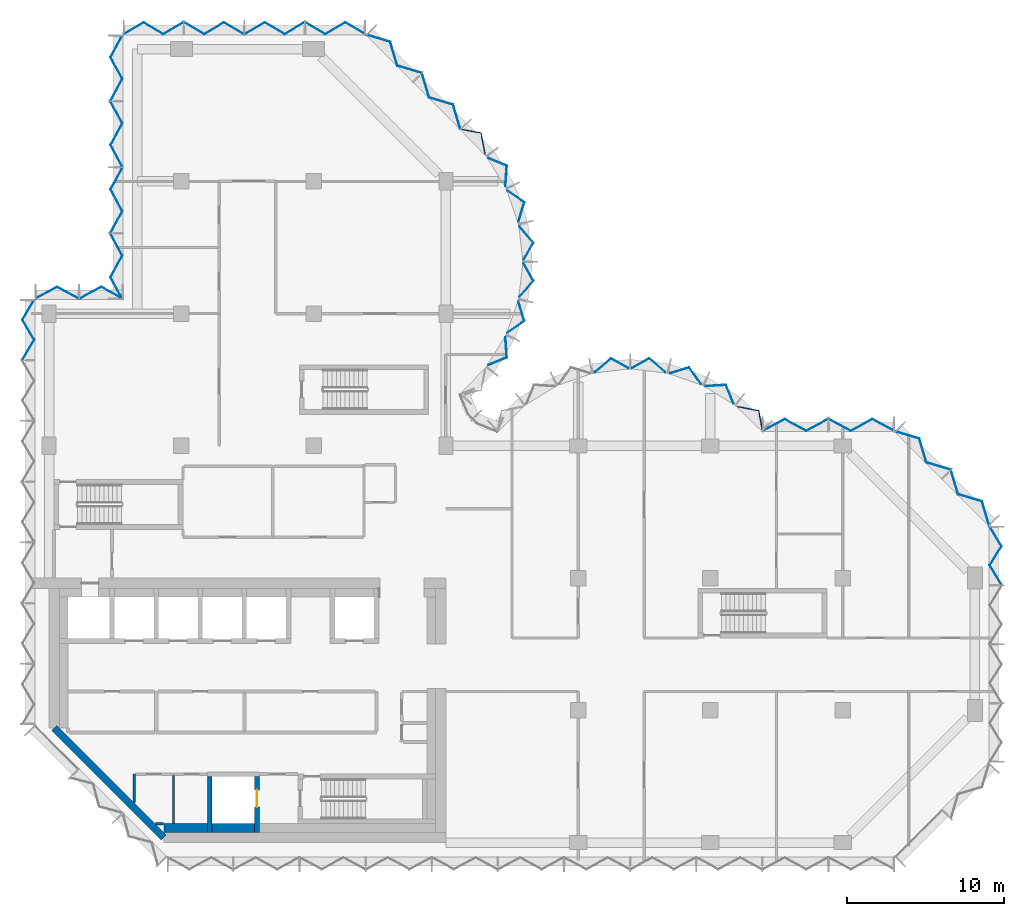
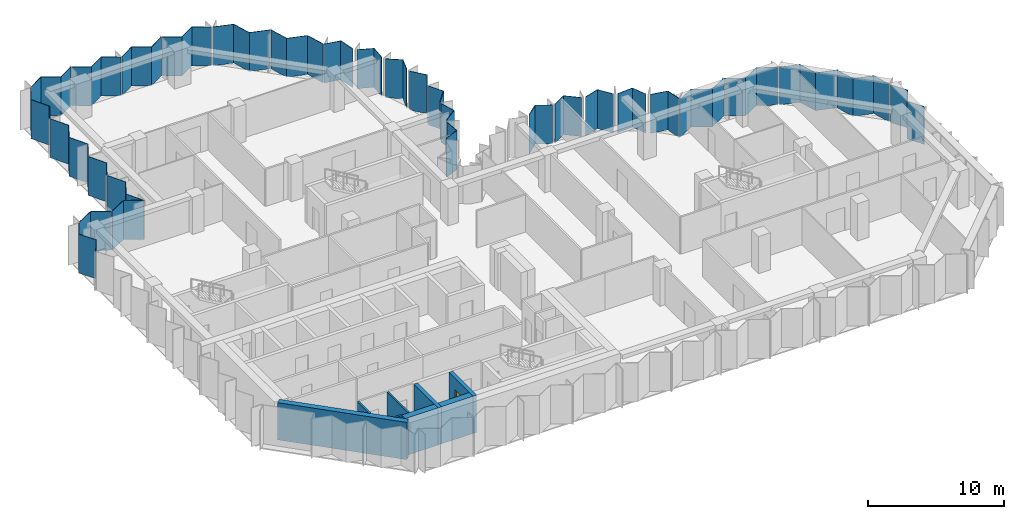
# One storey, part 4 of 10: 30 plates, 8 walls, 1 door, 1 opening, 10 elements without a shape of their own.
"""IFC4 building model written with IfcOpenShell, lengths in metres."""

from ifc_helpers import new_model, si_unit, direction, frame, frame_2d, origin, place, context, subcontext, project, spatial, polyline, rectangle, outline, extrude, material, layer, layer_set, type_object, element, fill, aggregate, save


model = new_model("IFC4")

# Units and contexts
model_context = context("Model", 3, precision=1e-05, world=origin(), true_north=direction((0.0, 1.0)))
body_context = subcontext(model_context, "Body", "Model", "MODEL_VIEW")
ifc_project = project(units=[si_unit("LENGTHUNIT", "METRE"), si_unit("AREAUNIT", "SQUARE_METRE"), si_unit("VOLUMEUNIT", "CUBIC_METRE"), si_unit("PLANEANGLEUNIT", "RADIAN"), si_unit("MASSUNIT", "GRAM", prefix="KILO")], contexts=[model_context])

# Site, building, storey
site_placement = place(None, origin())
site = spatial("IfcSite", under=ifc_project, at=site_placement, CompositionType="ELEMENT")
building_placement = place(site_placement, origin())
building = spatial("IfcBuilding", under=site, at=building_placement, Name="Brevane Broadcast Tower", CompositionType="ELEMENT")
storey_placement = place(building_placement, frame((0.0, 0.0, 181.199951171875)))
storey = spatial("IfcBuildingStorey", under=building, at=storey_placement, Name="L45", CompositionType="ELEMENT", Elevation=181.199951171875)

# Curtain wall, plate
ifc_material_1 = material(Name="Aluminium 6063-T6 bronze anodised", Category="aluminium")
curtain_wall_type = type_object("IfcCurtainWallType", Name="CW-1 curtain wall", PredefinedType="NOTDEFINED", material=ifc_material_1)
curtain_wall_1_placement = place(storey_placement, origin())
curtain_wall_1 = element("IfcCurtainWall", 1, at=curtain_wall_1_placement, inside=storey, type_object=curtain_wall_type, Name="CW-1 typical tilted unit L45 east end", PredefinedType="NOTDEFINED")
ifc_material_2 = material(Name="Laminated glass bronze-tinted", Category="glass")
ifc_layer_1 = layer(ifc_material_2, 0.0400390625)
ifc_layer_set_1 = layer_set([ifc_layer_1], Name="CW tall glass panel 40")
plate_type = type_object("IfcPlateType", Name="CW tall glass panel 40", PredefinedType="CURTAIN_PANEL", material=ifc_layer_set_1)
plate_1_placement = place(storey_placement, frame((0.0, 0.0, -0.14990234375)))
plate_1 = element("IfcPlate", 2, at=plate_1_placement, type_object=plate_type, Name="CW-1 glass panel", PredefinedType="CURTAIN_PANEL", context=body_context, shape_type="SweptSolid", body=[
    extrude(outline(polyline([(60.470947265625, 16.385009765625), (60.517822265625, 16.385009765625), (59.7734375, 17.61181640625), (60.517822265625, 18.83837890625), (59.7734375, 20.06494140625), (59.7265625, 20.06494140625), (60.470947265625, 18.83837890625), (59.7265625, 17.61181640625), (60.470947265625, 16.385009765625)])), origin(), (0.0, 0.0, 1.0), 3.39990234375),
])
aggregate(curtain_wall_1, [plate_1])

# Curtain wall, plates
curtain_wall_2_placement = place(storey_placement, origin())
curtain_wall_2 = element("IfcCurtainWall", 3, at=curtain_wall_2_placement, inside=storey, type_object=curtain_wall_type, Name="CW-1 typical tilted unit L45 north-east chamfer", PredefinedType="NOTDEFINED")
plate_2_placement = place(storey_placement, frame((0.0, 0.0, -0.14990234375)))
plate_2 = element("IfcPlate", 4, at=plate_2_placement, type_object=plate_type, Name="CW-1 glass panel", PredefinedType="CURTAIN_PANEL", context=body_context, shape_type="SweptSolid", body=[
    extrude(outline(polyline([(59.694580078125, 20.14404296875), (59.7265625, 20.176025390625), (59.26953125, 21.68603515625), (57.759521484375, 22.14306640625), (57.302490234375, 23.653076171875), (57.2705078125, 23.620849609375), (57.7275390625, 22.111083984375), (59.2373046875, 21.65380859375), (59.694580078125, 20.14404296875)])), origin(), (0.0, 0.0, 1.0), 3.39990234375),
])
plate_3_placement = place(storey_placement, frame((0.0, 0.0, -0.14990234375)))
plate_3 = element("IfcPlate", 5, at=plate_3_placement, type_object=plate_type, Name="CW-1 glass panel", PredefinedType="CURTAIN_PANEL", context=body_context, shape_type="SweptSolid", body=[
    extrude(outline(polyline([(57.220947265625, 23.67041015625), (57.2529296875, 23.702392578125), (55.7431640625, 24.15966796875), (55.285888671875, 25.66943359375), (53.776123046875, 26.126708984375), (53.744140625, 26.094482421875), (55.25390625, 25.637451171875), (55.711181640625, 24.127685546875), (57.220947265625, 23.67041015625)])), origin(), (0.0, 0.0, 1.0), 3.39990234375),
])
aggregate(curtain_wall_2, [plate_2, plate_3])

curtain_wall_3_placement = place(storey_placement, origin())
curtain_wall_3 = element("IfcCurtainWall", 6, at=curtain_wall_3_placement, inside=storey, type_object=curtain_wall_type, Name="CW-1 typical tilted unit L45 east arm north face", PredefinedType="NOTDEFINED")
plate_4_placement = place(storey_placement, frame((0.0, 0.0, -0.14990234375)))
plate_4 = element("IfcPlate", 7, at=plate_4_placement, type_object=plate_type, Name="CW-1 glass panel", PredefinedType="CURTAIN_PANEL", context=body_context, shape_type="SweptSolid", body=[
    extrude(outline(polyline([(53.6650390625, 26.127197265625), (53.6650390625, 26.172607421875), (52.288330078125, 26.9169921875), (50.91162109375, 26.172607421875), (49.534912109375, 26.9169921875), (49.534912109375, 26.87158203125), (50.91162109375, 26.127197265625), (52.288330078125, 26.87158203125), (53.6650390625, 26.127197265625)])), origin(), (0.0, 0.0, 1.0), 3.39990234375),
])
plate_5_placement = place(storey_placement, frame((0.0, 0.0, -0.14990234375)))
plate_5 = element("IfcPlate", 8, at=plate_5_placement, type_object=plate_type, Name="CW-1 glass panel", PredefinedType="CURTAIN_PANEL", context=body_context, shape_type="SweptSolid", body=[
    extrude(outline(polyline([(49.465087890625, 26.87158203125), (49.465087890625, 26.9169921875), (48.08837890625, 26.172607421875), (46.711669921875, 26.9169921875), (45.3349609375, 26.172607421875), (45.3349609375, 26.127197265625), (46.711669921875, 26.87158203125), (48.08837890625, 26.127197265625), (49.465087890625, 26.87158203125)])), origin(), (0.0, 0.0, 1.0), 3.39990234375),
])
aggregate(curtain_wall_3, [plate_4, plate_5])

curtain_wall_4_placement = place(storey_placement, origin())
curtain_wall_4 = element("IfcCurtainWall", 9, at=curtain_wall_4_placement, inside=storey, type_object=curtain_wall_type, Name="CW-1 typical tilted unit L45 east bow", PredefinedType="NOTDEFINED")
plate_6_placement = place(storey_placement, frame((0.0, 0.0, -0.14990234375)))
plate_6 = element("IfcPlate", 10, at=plate_6_placement, type_object=plate_type, Name="CW-1 glass panel", PredefinedType="CURTAIN_PANEL", context=body_context, shape_type="SweptSolid", body=[
    extrude(outline(polyline([(45.2939453125, 26.14404296875), (45.327880859375, 26.17919921875), (45.086181640625, 27.447265625), (43.738525390625, 27.71142578125), (43.7109375, 27.67626953125), (45.052001953125, 27.4130859375), (45.2939453125, 26.14404296875)])), origin(), (0.0, 0.0, 1.0), 3.5),
])
plate_7_placement = place(storey_placement, frame((0.0, 0.0, -0.14990234375)))
plate_7 = element("IfcPlate", 11, at=plate_7_placement, type_object=plate_type, Name="CW-1 glass panel", PredefinedType="CURTAIN_PANEL", context=body_context, shape_type="SweptSolid", body=[
    extrude(outline(polyline([(43.45703125, 27.8759765625), (43.4853515625, 27.912109375), (43.00390625, 29.089111328125), (41.710693359375, 29.006591796875), (41.69091796875, 28.96533203125), (42.977783203125, 29.04736328125), (43.45703125, 27.8759765625)])), origin(), (0.0, 0.0, 1.0), 3.5),
])
plate_8_placement = place(storey_placement, frame((0.0, 0.0, -0.14990234375)))
plate_8 = element("IfcPlate", 12, at=plate_8_placement, type_object=plate_type, Name="CW-1 glass panel", PredefinedType="CURTAIN_PANEL", context=body_context, shape_type="SweptSolid", body=[
    extrude(outline(polyline([(41.3994140625, 29.104248046875), (41.4189453125, 29.1455078125), (40.667724609375, 30.20166015625), (39.45068359375, 29.83349609375), (39.440185546875, 29.78857421875), (40.65185546875, 30.155029296875), (41.3994140625, 29.104248046875)])), origin(), (0.0, 0.0, 1.0), 3.5),
])
plate_9_placement = place(storey_placement, frame((0.0, 0.0, -0.14990234375)))
plate_9 = element("IfcPlate", 13, at=plate_9_placement, type_object=plate_type, Name="CW-1 glass panel", PredefinedType="CURTAIN_PANEL", context=body_context, shape_type="SweptSolid", body=[
    extrude(outline(polyline([(39.125, 29.859619140625), (39.13525390625, 29.903564453125), (38.116943359375, 30.779296875), (37.008056640625, 30.15869140625), (37.008056640625, 30.11279296875), (38.112060546875, 30.730712890625), (39.125, 29.859619140625)])), origin(), (0.0, 0.0, 1.0), 3.5),
])
plate_10_placement = place(storey_placement, frame((0.0, 0.0, -0.14990234375)))
plate_10 = element("IfcPlate", 14, at=plate_10_placement, type_object=plate_type, Name="CW-1 glass panel", PredefinedType="CURTAIN_PANEL", context=body_context, shape_type="SweptSolid", body=[
    extrude(outline(polyline([(36.7919921875, 30.11279296875), (36.7919921875, 30.15869140625), (35.68310546875, 30.779296875), (34.664794921875, 29.903564453125), (34.6748046875, 29.859619140625), (35.68798828125, 30.730712890625), (36.7919921875, 30.11279296875)])), origin(), (0.0, 0.0, 1.0), 3.5),
])
aggregate(curtain_wall_4, [plate_6, plate_7, plate_8, plate_9, plate_10])

curtain_wall_5_placement = place(storey_placement, origin())
curtain_wall_5 = element("IfcCurtainWall", 15, at=curtain_wall_5_placement, inside=storey, type_object=curtain_wall_type, Name="CW-1 typical tilted unit L45 north bow", PredefinedType="NOTDEFINED")
plate_11_placement = place(storey_placement, frame((0.0, 0.0, -0.14990234375)))
plate_11 = element("IfcPlate", 16, at=plate_11_placement, type_object=plate_type, Name="CW-1 glass panel", PredefinedType="CURTAIN_PANEL", context=body_context, shape_type="SweptSolid", body=[
    extrude(outline(polyline([(27.8759765625, 30.343017578125), (27.912109375, 30.314697265625), (29.089111328125, 30.7958984375), (29.006591796875, 32.08935546875), (28.96533203125, 32.10888671875), (29.04736328125, 30.822265625), (27.8759765625, 30.343017578125)])), origin(), (0.0, 0.0, 1.0), 3.5),
])
plate_12_placement = place(storey_placement, frame((0.0, 0.0, -0.14990234375)))
plate_12 = element("IfcPlate", 17, at=plate_12_placement, type_object=plate_type, Name="CW-1 glass panel", PredefinedType="CURTAIN_PANEL", context=body_context, shape_type="SweptSolid", body=[
    extrude(outline(polyline([(29.104248046875, 32.400634765625), (29.1455078125, 32.381103515625), (30.20166015625, 33.132080078125), (29.83349609375, 34.349365234375), (29.78857421875, 34.359619140625), (30.155029296875, 33.148193359375), (29.104248046875, 32.400634765625)])), origin(), (0.0, 0.0, 1.0), 3.5),
])
plate_13_placement = place(storey_placement, frame((0.0, 0.0, -0.14990234375)))
plate_13 = element("IfcPlate", 18, at=plate_13_placement, type_object=plate_type, Name="CW-1 glass panel", PredefinedType="CURTAIN_PANEL", context=body_context, shape_type="SweptSolid", body=[
    extrude(outline(polyline([(29.859619140625, 34.6748046875), (29.903564453125, 34.664794921875), (30.779296875, 35.68310546875), (30.15869140625, 36.7919921875), (30.11279296875, 36.7919921875), (30.730712890625, 35.68798828125), (29.859619140625, 34.6748046875)])), origin(), (0.0, 0.0, 1.0), 3.5),
])
plate_14_placement = place(storey_placement, frame((0.0, 0.0, -0.14990234375)))
plate_14 = element("IfcPlate", 19, at=plate_14_placement, type_object=plate_type, Name="CW-1 glass panel", PredefinedType="CURTAIN_PANEL", context=body_context, shape_type="SweptSolid", body=[
    extrude(outline(polyline([(30.11279296875, 37.008056640625), (30.15869140625, 37.008056640625), (30.779296875, 38.116943359375), (29.903564453125, 39.13525390625), (29.859619140625, 39.125), (30.730712890625, 38.112060546875), (30.11279296875, 37.008056640625)])), origin(), (0.0, 0.0, 1.0), 3.5),
])
plate_15_placement = place(storey_placement, frame((0.0, 0.0, -0.14990234375)))
plate_15 = element("IfcPlate", 20, at=plate_15_placement, type_object=plate_type, Name="CW-1 glass panel", PredefinedType="CURTAIN_PANEL", context=body_context, shape_type="SweptSolid", body=[
    extrude(outline(polyline([(29.78857421875, 39.440185546875), (29.83349609375, 39.45068359375), (30.20166015625, 40.667724609375), (29.1455078125, 41.4189453125), (29.104248046875, 41.3994140625), (30.155029296875, 40.65185546875), (29.78857421875, 39.440185546875)])), origin(), (0.0, 0.0, 1.0), 3.5),
])
plate_16_placement = place(storey_placement, frame((0.0, 0.0, -0.14990234375)))
plate_16 = element("IfcPlate", 21, at=plate_16_placement, type_object=plate_type, Name="CW-1 glass panel", PredefinedType="CURTAIN_PANEL", context=body_context, shape_type="SweptSolid", body=[
    extrude(outline(polyline([(28.96533203125, 41.69091796875), (29.006591796875, 41.710693359375), (29.089111328125, 43.00390625), (27.912109375, 43.4853515625), (27.8759765625, 43.45703125), (29.04736328125, 42.977783203125), (28.96533203125, 41.69091796875)])), origin(), (0.0, 0.0, 1.0), 3.5),
])
plate_17_placement = place(storey_placement, frame((0.0, 0.0, -0.14990234375)))
plate_17 = element("IfcPlate", 22, at=plate_17_placement, type_object=plate_type, Name="CW-1 glass panel", PredefinedType="CURTAIN_PANEL", context=body_context, shape_type="SweptSolid", body=[
    extrude(outline(polyline([(27.67626953125, 43.7109375), (27.71142578125, 43.738525390625), (27.447265625, 45.086181640625), (26.17919921875, 45.327880859375), (26.14404296875, 45.2939453125), (27.4130859375, 45.052001953125), (27.67626953125, 43.7109375)])), origin(), (0.0, 0.0, 1.0), 3.5),
])
aggregate(curtain_wall_5, [plate_11, plate_12, plate_13, plate_14, plate_15, plate_16, plate_17])

curtain_wall_6_placement = place(storey_placement, origin())
curtain_wall_6 = element("IfcCurtainWall", 23, at=curtain_wall_6_placement, inside=storey, type_object=curtain_wall_type, Name="CW-1 typical tilted unit L45 north arm north-east chamfer", PredefinedType="NOTDEFINED")
plate_18_placement = place(storey_placement, frame((0.0, 0.0, -0.14990234375)))
plate_18 = element("IfcPlate", 24, at=plate_18_placement, type_object=plate_type, Name="CW-1 glass panel", PredefinedType="CURTAIN_PANEL", context=body_context, shape_type="SweptSolid", body=[
    extrude(outline(polyline([(26.094482421875, 45.343994140625), (26.126708984375, 45.376220703125), (25.66943359375, 46.885986328125), (24.15966796875, 47.343017578125), (23.702392578125, 48.85302734375), (23.67041015625, 48.82080078125), (24.127685546875, 47.31103515625), (25.637451171875, 46.85400390625), (26.094482421875, 45.343994140625)])), origin(), (0.0, 0.0, 1.0), 3.5),
])
plate_19_placement = place(storey_placement, frame((0.0, 0.0, -0.14990234375)))
plate_19 = element("IfcPlate", 25, at=plate_19_placement, type_object=plate_type, Name="CW-1 glass panel", PredefinedType="CURTAIN_PANEL", context=body_context, shape_type="SweptSolid", body=[
    extrude(outline(polyline([(23.620849609375, 48.870361328125), (23.653076171875, 48.902587890625), (22.14306640625, 49.359619140625), (21.68603515625, 50.869384765625), (20.176025390625, 51.32666015625), (20.14404296875, 51.294677734375), (21.65380859375, 50.83740234375), (22.111083984375, 49.32763671875), (23.620849609375, 48.870361328125)])), origin(), (0.0, 0.0, 1.0), 3.5),
])
aggregate(curtain_wall_6, [plate_18, plate_19])

curtain_wall_7_placement = place(storey_placement, origin())
curtain_wall_7 = element("IfcCurtainWall", 26, at=curtain_wall_7_placement, inside=storey, type_object=curtain_wall_type, Name="CW-1 typical tilted unit L45 north end", PredefinedType="NOTDEFINED")
plate_20_placement = place(storey_placement, frame((0.0, 0.0, -0.14990234375)))
plate_20 = element("IfcPlate", 27, at=plate_20_placement, type_object=plate_type, Name="CW-1 glass panel", PredefinedType="CURTAIN_PANEL", context=body_context, shape_type="SweptSolid", body=[
    extrude(outline(polyline([(20.06494140625, 51.326904296875), (20.06494140625, 51.373291015625), (18.804931640625, 52.11767578125), (17.544921875, 51.373291015625), (16.284912109375, 52.11767578125), (16.284912109375, 52.0712890625), (17.544921875, 51.326904296875), (18.804931640625, 52.0712890625), (20.06494140625, 51.326904296875)])), origin(), (0.0, 0.0, 1.0), 3.5),
])
plate_21_placement = place(storey_placement, frame((0.0, 0.0, -0.14990234375)))
plate_21 = element("IfcPlate", 28, at=plate_21_placement, type_object=plate_type, Name="CW-1 glass panel", PredefinedType="CURTAIN_PANEL", context=body_context, shape_type="SweptSolid", body=[
    extrude(outline(polyline([(16.215087890625, 52.0712890625), (16.215087890625, 52.11767578125), (14.955078125, 51.373291015625), (13.695068359375, 52.11767578125), (12.43505859375, 51.373291015625), (12.43505859375, 51.326904296875), (13.695068359375, 52.0712890625), (14.955078125, 51.326904296875), (16.215087890625, 52.0712890625)])), origin(), (0.0, 0.0, 1.0), 3.5),
])
plate_22_placement = place(storey_placement, frame((0.0, 0.0, -0.14990234375)))
plate_22 = element("IfcPlate", 29, at=plate_22_placement, type_object=plate_type, Name="CW-1 glass panel", PredefinedType="CURTAIN_PANEL", context=body_context, shape_type="SweptSolid", body=[
    extrude(outline(polyline([(12.364990234375, 51.326904296875), (12.364990234375, 51.373291015625), (11.10498046875, 52.11767578125), (9.844970703125, 51.373291015625), (8.5849609375, 52.11767578125), (8.5849609375, 52.0712890625), (9.844970703125, 51.326904296875), (11.10498046875, 52.0712890625), (12.364990234375, 51.326904296875)])), origin(), (0.0, 0.0, 1.0), 3.5),
])
plate_23_placement = place(storey_placement, frame((0.0, 0.0, -0.14990234375)))
plate_23 = element("IfcPlate", 30, at=plate_23_placement, type_object=plate_type, Name="CW-1 glass panel", PredefinedType="CURTAIN_PANEL", context=body_context, shape_type="SweptSolid", body=[
    extrude(outline(polyline([(8.514892578125, 52.0712890625), (8.514892578125, 52.11767578125), (7.2548828125, 51.373291015625), (5.9951171875, 52.11767578125), (4.735107421875, 51.373291015625), (4.735107421875, 51.326904296875), (5.9951171875, 52.0712890625), (7.2548828125, 51.326904296875), (8.514892578125, 52.0712890625)])), origin(), (0.0, 0.0, 1.0), 3.5),
])
aggregate(curtain_wall_7, [plate_20, plate_21, plate_22, plate_23])

curtain_wall_8_placement = place(storey_placement, origin())
curtain_wall_8 = element("IfcCurtainWall", 31, at=curtain_wall_8_placement, inside=storey, type_object=curtain_wall_type, Name="CW-1 typical tilted unit L45 north wing west face, lower block", PredefinedType="NOTDEFINED")
plate_24_placement = place(storey_placement, frame((0.0, 0.0, -0.14990234375)))
plate_24 = element("IfcPlate", 32, at=plate_24_placement, type_object=plate_type, Name="CW-1 glass panel", PredefinedType="CURTAIN_PANEL", context=body_context, shape_type="SweptSolid", body=[
    extrude(outline(polyline([(4.672607421875, 51.264892578125), (4.627197265625, 51.264892578125), (3.8828125, 49.88818359375), (4.627197265625, 48.51171875), (3.8828125, 47.135009765625), (3.92822265625, 47.135009765625), (4.672607421875, 48.51171875), (3.92822265625, 49.88818359375), (4.672607421875, 51.264892578125)])), origin(), (0.0, 0.0, 1.0), 3.5),
])
plate_25_placement = place(storey_placement, frame((0.0, 0.0, -0.14990234375)))
plate_25 = element("IfcPlate", 33, at=plate_25_placement, type_object=plate_type, Name="CW-1 glass panel", PredefinedType="CURTAIN_PANEL", context=body_context, shape_type="SweptSolid", body=[
    extrude(outline(polyline([(3.92822265625, 47.06494140625), (3.8828125, 47.06494140625), (4.627197265625, 45.688232421875), (3.8828125, 44.311767578125), (4.627197265625, 42.93505859375), (4.672607421875, 42.93505859375), (3.92822265625, 44.311767578125), (4.672607421875, 45.688232421875), (3.92822265625, 47.06494140625)])), origin(), (0.0, 0.0, 1.0), 3.5),
])
plate_26_placement = place(storey_placement, frame((0.0, 0.0, -0.14990234375)))
plate_26 = element("IfcPlate", 34, at=plate_26_placement, type_object=plate_type, Name="CW-1 glass panel", PredefinedType="CURTAIN_PANEL", context=body_context, shape_type="SweptSolid", body=[
    extrude(outline(polyline([(4.672607421875, 42.864990234375), (4.627197265625, 42.864990234375), (3.8828125, 41.48828125), (4.627197265625, 40.11181640625), (3.8828125, 38.735107421875), (3.92822265625, 38.735107421875), (4.672607421875, 40.11181640625), (3.92822265625, 41.48828125), (4.672607421875, 42.864990234375)])), origin(), (0.0, 0.0, 1.0), 3.5),
])
plate_27_placement = place(storey_placement, frame((0.0, 0.0, -0.14990234375)))
plate_27 = element("IfcPlate", 35, at=plate_27_placement, type_object=plate_type, Name="CW-1 glass panel", PredefinedType="CURTAIN_PANEL", context=body_context, shape_type="SweptSolid", body=[
    extrude(outline(polyline([(3.92822265625, 38.6650390625), (3.8828125, 38.6650390625), (4.627197265625, 37.288330078125), (3.8828125, 35.91162109375), (4.627197265625, 34.534912109375), (4.672607421875, 34.534912109375), (3.92822265625, 35.91162109375), (4.672607421875, 37.288330078125), (3.92822265625, 38.6650390625)])), origin(), (0.0, 0.0, 1.0), 3.5),
])
aggregate(curtain_wall_8, [plate_24, plate_25, plate_26, plate_27])

curtain_wall_9_placement = place(storey_placement, origin())
curtain_wall_9 = element("IfcCurtainWall", 36, at=curtain_wall_9_placement, inside=storey, type_object=curtain_wall_type, Name="CW-1 typical tilted unit L45 north wing west return, lower block", PredefinedType="NOTDEFINED")
plate_28_placement = place(storey_placement, frame((0.0, 0.0, -0.14990234375)))
plate_28 = element("IfcPlate", 37, at=plate_28_placement, type_object=plate_type, Name="CW-1 glass panel", PredefinedType="CURTAIN_PANEL", context=body_context, shape_type="SweptSolid", body=[
    extrude(outline(polyline([(4.6650390625, 34.527099609375), (4.6650390625, 34.57275390625), (3.300048828125, 35.317138671875), (1.93505859375, 34.57275390625), (1.93505859375, 34.527099609375), (3.300048828125, 35.271484375), (4.6650390625, 34.527099609375)])), origin(), (0.0, 0.0, 1.0), 3.5),
])
plate_29_placement = place(storey_placement, frame((0.0, 0.0, -0.14990234375)))
plate_29 = element("IfcPlate", 38, at=plate_29_placement, type_object=plate_type, Name="CW-1 glass panel", PredefinedType="CURTAIN_PANEL", context=body_context, shape_type="SweptSolid", body=[
    extrude(outline(polyline([(1.864990234375, 34.527099609375), (1.864990234375, 34.57275390625), (0.5, 35.317138671875), (-0.864990234375, 34.57275390625), (-0.864990234375, 34.527099609375), (0.5, 35.271484375), (1.864990234375, 34.527099609375)])), origin(), (0.0, 0.0, 1.0), 3.5),
])
aggregate(curtain_wall_9, [plate_28, plate_29])

# Curtain wall, plate
curtain_wall_10_placement = place(storey_placement, origin())
curtain_wall_10 = element("IfcCurtainWall", 39, at=curtain_wall_10_placement, inside=storey, type_object=curtain_wall_type, Name="CW-1 typical tilted unit L45 west face", PredefinedType="NOTDEFINED")
plate_30_placement = place(storey_placement, frame((0.0, 0.0, -0.14990234375)))
plate_30 = element("IfcPlate", 40, at=plate_30_placement, type_object=plate_type, Name="CW-1 glass panel", PredefinedType="CURTAIN_PANEL", context=body_context, shape_type="SweptSolid", body=[
    extrude(outline(polyline([(-0.9267578125, 34.465087890625), (-0.97314453125, 34.465087890625), (-1.717529296875, 33.20263671875), (-0.97314453125, 31.940185546875), (-1.717529296875, 30.677978515625), (-1.671142578125, 30.677978515625), (-0.9267578125, 31.940185546875), (-1.671142578125, 33.20263671875), (-0.9267578125, 34.465087890625)])), origin(), (0.0, 0.0, 1.0), 3.5),
])
aggregate(curtain_wall_10, [plate_30])

# Walls
ifc_material_3 = material(Name="Concrete C32/40", Category="concrete")
ifc_layer_2 = layer(ifc_material_3, 0.550048828125)
ifc_layer_set_2 = layer_set([ifc_layer_2], Name="Core chase wall 550 mm")
wall_type_1 = type_object("IfcWallType", Name="Core chase wall 550 mm", PredefinedType="PARTITIONING", material=ifc_layer_set_2)
wall_1_placement = place(storey_placement, frame((7.286376953125, 0.925048828125, 0.0), z_axis=(0.0, 0.0, 1.0), x_axis=(1.0, 0.0, 0.0)))
element("IfcWall", 41, at=wall_1_placement, inside=storey, type_object=wall_type_1, Name="L45 chase wall LS-1", PredefinedType="PARTITIONING", context=body_context, shape_type="SweptSolid", body=[
    extrude(rectangle(XDim=2.763671875, YDim=0.550048828125, at=frame_2d((1.3818359375, 0.0))), origin(), (0.0, 0.0, 1.0), 3.35009765625),
])
wall_2_placement = place(storey_placement, frame((10.35009765625, 0.925048828125, 0.0), z_axis=(0.0, 0.0, 1.0), x_axis=(1.0, 0.0, 0.0)))
element("IfcWall", 42, at=wall_2_placement, inside=storey, type_object=wall_type_1, Name="L45 chase wall LS-2-1", PredefinedType="PARTITIONING", context=body_context, shape_type="SweptSolid", body=[
    extrude(rectangle(XDim=2.699951171875, YDim=0.550048828125, at=frame_2d((1.35009765625, 0.0))), origin(), (0.0, 0.0, 1.0), 3.35009765625),
])
ifc_material_4 = material(Name="Gypsum board on steel studs", Category="steel")
ifc_layer_3 = layer(ifc_material_4, 0.14990234375)
ifc_layer_set_3 = layer_set([ifc_layer_3], Name="Core fire partition 150 mm")
wall_type_2 = type_object("IfcWallType", Name="Core fire partition 150 mm", PredefinedType="PARTITIONING", material=ifc_layer_set_3)
wall_3_placement = place(storey_placement, frame((5.39990234375, 2.553466796875, 0.0), z_axis=(0.0, 0.0, 1.0), x_axis=(0.0, 1.0, 0.0)))
element("IfcWall", 43, at=wall_3_placement, inside=storey, type_object=wall_type_2, Name="L45 partition wall P17", PredefinedType="PARTITIONING", context=body_context, shape_type="SweptSolid", body=[
    extrude(rectangle(XDim=1.796630859375, YDim=0.14990234375, at=frame_2d((0.8984375, 0.0))), origin(), (0.0, 0.0, 1.0), 3.35009765625),
])
wall_4_placement = place(storey_placement, frame((7.89990234375, 4.27490234375, 0.0), z_axis=(0.0, 0.0, 1.0), x_axis=(0.0, -1.0, 0.0)))
element("IfcWall", 44, at=wall_4_placement, inside=storey, type_object=wall_type_2, Name="L45 partition wall P19", PredefinedType="PARTITIONING", context=body_context, shape_type="SweptSolid", body=[
    extrude(rectangle(XDim=3.06298828125, YDim=0.14990234375, at=frame_2d((1.531494140625, 0.0))), origin(), (0.0, 0.0, 1.0), 3.35009765625),
])
wall_5_placement = place(storey_placement, frame((7.2744140625, 1.199951171875, 0.0), z_axis=(0.0, 0.0, 1.0), x_axis=(-1.0, 0.0, 0.0)))
element("IfcWall", 45, at=wall_5_placement, inside=storey, type_object=wall_type_2, Name="L45 partition wall P20", PredefinedType="PARTITIONING", context=body_context, shape_type="SweptSolid", body=[
    extrude(rectangle(XDim=0.52099609375, YDim=0.14990234375, at=frame_2d((0.260498046875, 0.0))), origin(), (0.0, 0.0, 1.0), 3.35009765625),
])
ifc_material_5 = material(Name="Concrete C60/75", Category="concrete")
ifc_layer_4 = layer(ifc_material_5, 0.300048828125)
ifc_layer_set_4 = layer_set([ifc_layer_4], Name="Core wall 300 mm C60/75")
wall_type_3 = type_object("IfcWallType", Name="Core wall 300 mm C60/75", PredefinedType="SHEAR", material=ifc_layer_set_4)
wall_6_placement = place(storey_placement, frame((10.199951171875, 0.64990234375, 0.0), z_axis=(0.0, 0.0, 1.0), x_axis=(0.0, 1.0, 0.0)))
element("IfcWall", 46, at=wall_6_placement, inside=storey, type_object=wall_type_3, Name="L45 shaft wall FF2-W", PredefinedType="SHEAR", context=body_context, shape_type="SweptSolid", body=[
    extrude(rectangle(XDim=3.550048828125, YDim=0.300048828125, at=frame_2d((1.77490234375, 0.0))), origin(), (0.0, 0.0, 1.0), 3.35009765625),
])

# Wall, opening, door
wall_7_placement = place(storey_placement, frame((13.199951171875, 0.64990234375, 0.0), z_axis=(0.0, 0.0, 1.0), x_axis=(0.0, 1.0, 0.0)))
wall_7 = element("IfcWall", 47, at=wall_7_placement, inside=storey, type_object=wall_type_3, Name="L45 shaft wall FF2-E", PredefinedType="SHEAR", context=body_context, shape_type="SweptSolid", body=[
    extrude(rectangle(XDim=3.550048828125, YDim=0.300048828125, at=frame_2d((1.77490234375, 0.0))), origin(), (0.0, 0.0, 1.0), 3.35009765625),
])
opening_placement = place(wall_7_placement, frame((1.60009765625, 0.0, 0.0)))
opening = element("IfcOpeningElement", 48, at=opening_placement, cuts=wall_7, Name="Opening LD", PredefinedType="OPENING", context=body_context, shape_type="SweptSolid", body=[
    extrude(rectangle(XDim=1.10009765625, YDim=2.300048828125, at=frame_2d((0.550048828125, 1.14990234375))), frame((0.0, 0.159912109375, 0.0), z_axis=(0.0, -1.0, 0.0), x_axis=(1.0, 0.0, 0.0)), (0.0, 0.0, 1.0), 0.320068359375),
])
ifc_material_6 = material(Name="Stainless steel", Category="steel")
door_type = type_object("IfcDoorType", Name="Lift landing door", OperationType="SLIDING_TO_LEFT", PredefinedType="DOOR", material=ifc_material_6)
door_placement = place(opening_placement, origin())
door = element("IfcDoor", 49, at=door_placement, inside=storey, type_object=door_type, Name="Landing door FF2 L45", OperationType="SLIDING_TO_LEFT", OverallHeight=2.300048828125, OverallWidth=1.10009765625, PredefinedType="DOOR", context=body_context, shape_type="SweptSolid", body=[
    extrude(rectangle(XDim=1.10009765625, YDim=2.300048828125, at=frame_2d((0.550048828125, 1.14990234375))), frame((0.0, 0.02490234375, 0.0), z_axis=(0.0, -1.0, 0.0), x_axis=(1.0, 0.0, 0.0)), (0.0, 0.0, 1.0), 0.050048828125),
])
fill(opening, door)

# Wall
ifc_layer_5 = layer(ifc_material_5, 0.449951171875)
ifc_layer_set_5 = layer_set([ifc_layer_5], Name="Core wall 450 mm C60/75")
wall_type_4 = type_object("IfcWallType", Name="Core wall 450 mm C60/75", PredefinedType="SHEAR", material=ifc_layer_set_5)
wall_8_placement = place(storey_placement, frame((0.324951171875, 7.293212890625, 0.0), z_axis=(0.0, 0.0, 1.0), x_axis=(0.707106781187, -0.707106781187, 0.0)))
element("IfcWall", 50, at=wall_8_placement, inside=storey, type_object=wall_type_4, Name="L45 outer wall WC", PredefinedType="SHEAR", context=body_context, shape_type="SweptSolid", body=[
    extrude(rectangle(XDim=9.8544921875, YDim=0.449951171875, at=frame_2d((4.92724609375, 0.0))), origin(), (0.0, 0.0, 1.0), 3.35009765625),
])

save(model, "model.ifc")
